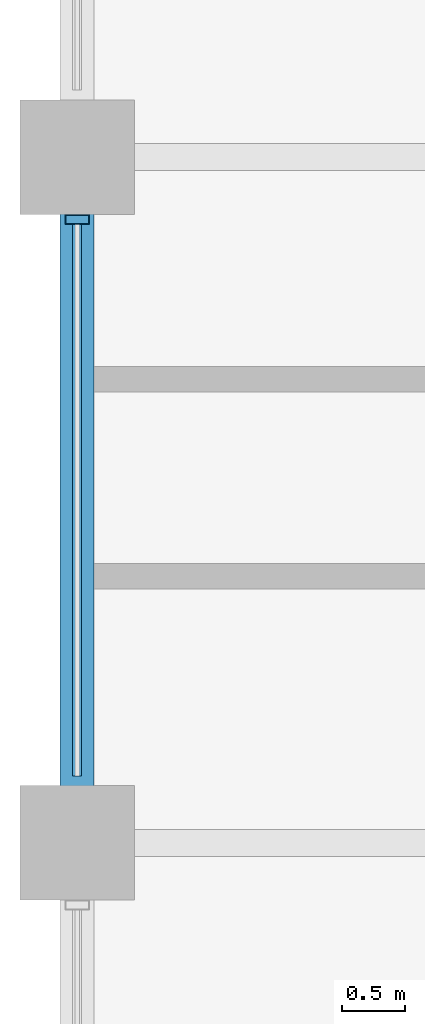
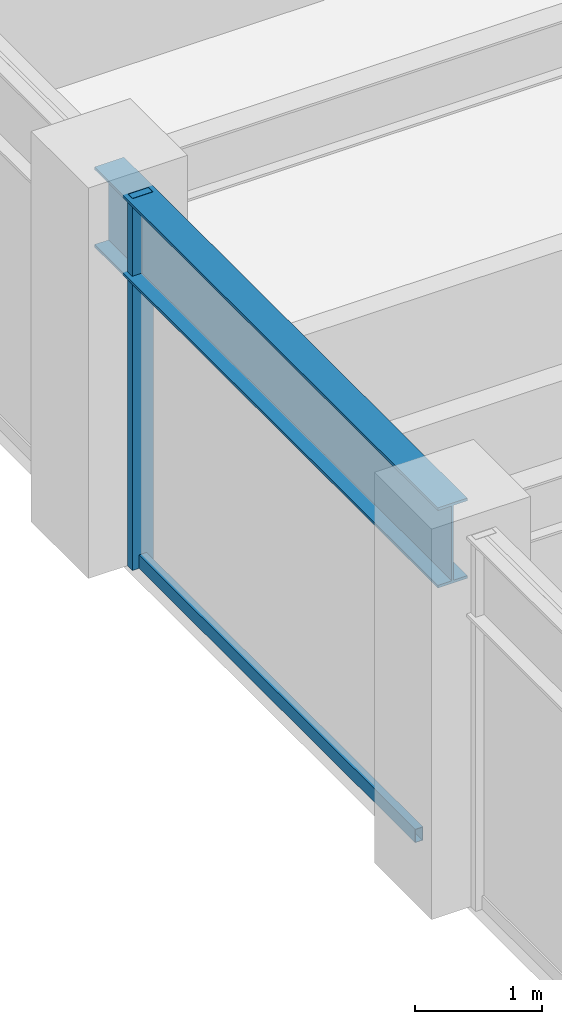
# One storey, part 8 of 32: 2 members, 1 beam, 1 element without a shape of its own.
"""IFC4 building model written with IfcOpenShell, lengths in metres."""

from ifc_helpers import new_model, si_unit, direction, frame, origin, origin_2d, place, context, subcontext, project, spatial, hollow_rectangle, i_section, extrude, material, layer, layer_set, material_profile, profile_set, type_object, element, aggregate, save


model = new_model("IFC4")

# Units and contexts
model_context = context("Model", 3, precision=1e-05, world=origin(), true_north=direction((0.0, 1.0)))
body_context = subcontext(model_context, "Body", "Model", "MODEL_VIEW")
ifc_project = project(units=[si_unit("LENGTHUNIT", "METRE"), si_unit("AREAUNIT", "SQUARE_METRE"), si_unit("VOLUMEUNIT", "CUBIC_METRE"), si_unit("PLANEANGLEUNIT", "RADIAN"), si_unit("MASSUNIT", "GRAM", prefix="KILO")], contexts=[model_context])

# Site, building, storey
site_placement = place(None, origin())
site = spatial("IfcSite", under=ifc_project, at=site_placement, CompositionType="ELEMENT")
building_placement = place(site_placement, origin())
building = spatial("IfcBuilding", under=site, at=building_placement, Name="Surkhivell Harbour Commons", CompositionType="ELEMENT")
storey_placement = place(building_placement, frame((0.0, 0.0, 204.75)))
storey = spatial("IfcBuildingStorey", under=building, at=storey_placement, Name="L53", CompositionType="ELEMENT", Elevation=204.75)

# Beam
ifc_material_1 = material(Name="Steel S355", Category="steel")
ifc_material_profile_1 = material_profile(ifc_material_1, i_section(OverallWidth=0.26806640625, OverallDepth=0.77001953125, WebThickness=0.015625, FlangeThickness=0.025390625, at=origin_2d()), Name="UB762x267x197")
ifc_profile_set_1 = profile_set([ifc_material_profile_1], Name="Steel S355")
beam_type = type_object("IfcBeamType", Name="BM-SPN-762", PredefinedType="SPANDREL", material=ifc_profile_set_1)
beam_placement = place(storey_placement, frame((-27.0, -5.39990234375, 3.18505859375), z_axis=(0.0, 1.0, 0.0), x_axis=(-1.0, 0.0, 0.0)))
element("IfcBeam", 1, at=beam_placement, inside=storey, type_object=beam_type, Name="L53 Tube Spandrel (-27.0,-5.4)", PredefinedType="SPANDREL", context=body_context, shape_type="SweptSolid", body=[
    extrude(i_section(OverallWidth=0.26806640625, OverallDepth=0.77001953125, WebThickness=0.015625, FlangeThickness=0.025390625, at=origin_2d()), origin(), (0.0, 0.0, 1.0), 5.39990234375),
])

# Curtain wall, members
ifc_material_2 = material(Name="Anodised pale-metal aluminium and insulated glazing", Category="aluminium")
ifc_layer = layer(ifc_material_2, 0.18994140625)
ifc_layer_set = layer_set([ifc_layer], Name="Anodised pale-metal aluminium and insulated glazing")
curtain_wall_type = type_object("IfcCurtainWallType", Name="CW-SYS-Z3", PredefinedType="NOTDEFINED", material=ifc_layer_set)
curtain_wall_placement = place(storey_placement, origin())
curtain_wall = element("IfcCurtainWall", 2, at=curtain_wall_placement, inside=storey, type_object=curtain_wall_type, Name="L53 Curtain Wall CW-L53-E12S1", PredefinedType="NOTDEFINED")
ifc_material_3 = material(Name="Anodised pale-metal aluminium alloy 6063-T6", Category="aluminium")
ifc_material_profile_2 = material_profile(ifc_material_3, hollow_rectangle(XDim=0.074951171875, YDim=0.18994140625, WallThickness=0.00390625, at=origin_2d()), Name="ALU-MULL-75x190")
ifc_profile_set_2 = profile_set([ifc_material_profile_2], Name="Anodised pale-metal aluminium alloy 6063-T6")
member_type_1 = type_object("IfcMemberType", Name="CWM-190", PredefinedType="MULLION", material=ifc_profile_set_2)
member_1_placement = place(storey_placement, frame((-27.0, -0.489501953125, 0.0), z_axis=(0.0, 0.0, 1.0), x_axis=(0.0, -1.0, 0.0)))
member_1 = element("IfcMember", 3, at=member_1_placement, type_object=member_type_1, Name="CW-Z3 mullion 5", PredefinedType="MULLION", context=body_context, shape_type="SweptSolid", body=[
    extrude(hollow_rectangle(XDim=0.074951171875, YDim=0.18994140625, WallThickness=0.00390625, at=origin_2d()), origin(), (0.0, 0.0, 1.0), 3.570068359375),
])
ifc_material_4 = material(Name="Champagne anodised aluminium alloy 6063-T6", Category="aluminium")
ifc_material_profile_3 = material_profile(ifc_material_4, hollow_rectangle(XDim=0.070068359375, YDim=0.1298828125, WallThickness=0.00341796875, at=origin_2d()), Name="ALU-TRAN-70x130")
ifc_profile_set_3 = profile_set([ifc_material_profile_3], Name="Champagne anodised aluminium alloy 6063-T6")
member_type_2 = type_object("IfcMemberType", Name="CWT-130", PredefinedType="USERDEFINED", material=ifc_profile_set_3)
member_2_placement = place(storey_placement, frame((-27.0, -0.527099609375, 0.06494140625), z_axis=(0.0, -1.0, 0.0), x_axis=(1.0, 0.0, 0.0)))
member_2 = element("IfcMember", 4, at=member_2_placement, type_object=member_type_2, Name="CW-Z3 transom 5.1", ObjectType="TRANSOM", PredefinedType="USERDEFINED", context=body_context, shape_type="SweptSolid", body=[
    extrude(hollow_rectangle(XDim=0.070068359375, YDim=0.1298828125, WallThickness=0.00341796875, at=origin_2d()), origin(), (0.0, 0.0, 1.0), 4.345947265625),
])
aggregate(curtain_wall, [member_1, member_2])

save(model, "model.ifc")
